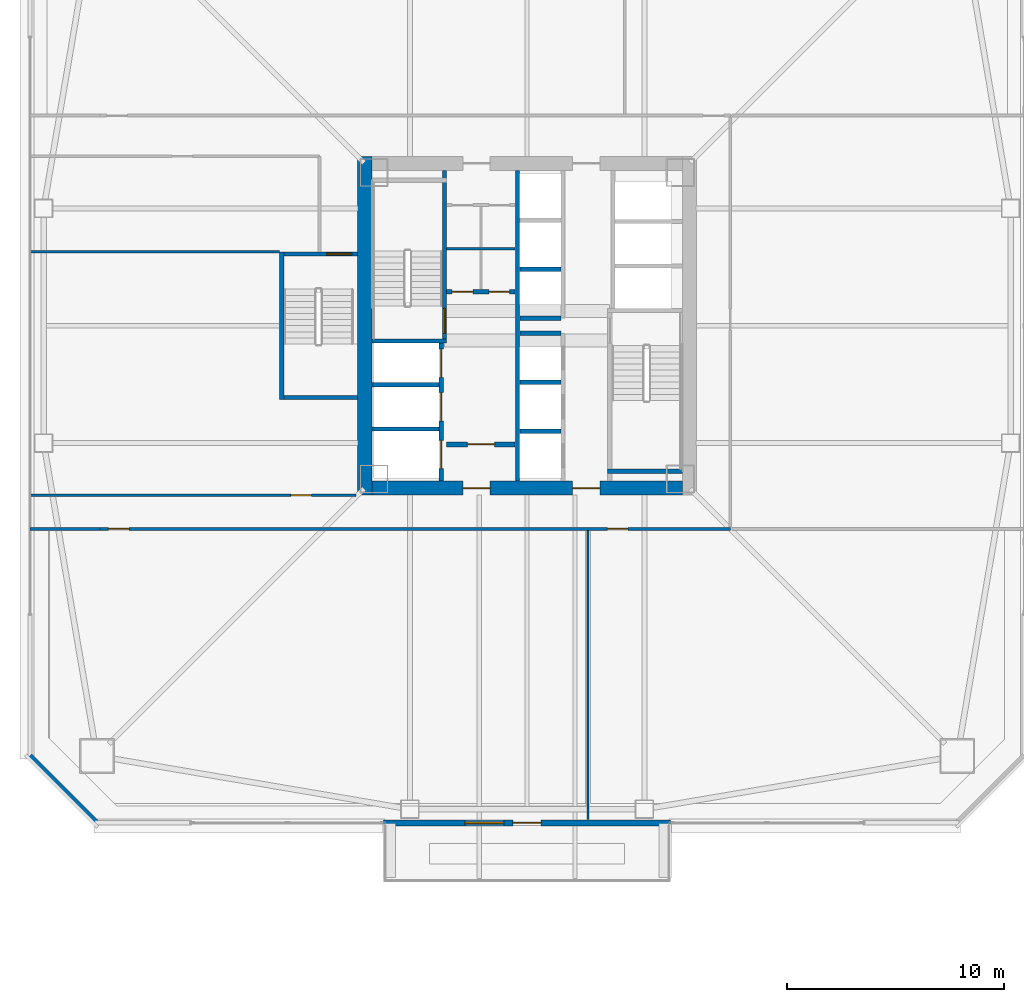
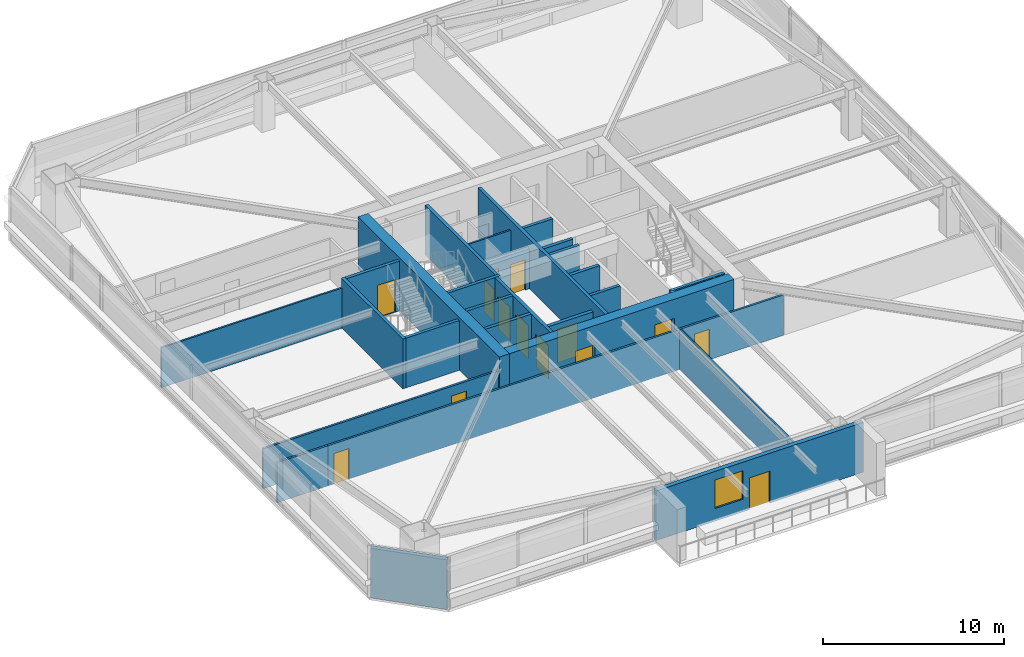
# One storey, part 36 of 46: 27 walls, 14 doors, 1 window, 15 openings.
"""IFC4 building model written with IfcOpenShell, lengths in metres."""

from ifc_helpers import new_model, si_unit, direction, frame, frame_2d, origin, place, context, subcontext, project, spatial, rectangle, extrude, material, layer, layer_set, type_object, element, fill, save


model = new_model("IFC4")

# Units and contexts
model_context = context("Model", 3, precision=1e-05, world=origin(), true_north=direction((0.0, 1.0)))
body_context = subcontext(model_context, "Body", "Model", "MODEL_VIEW")
ifc_project = project(units=[si_unit("LENGTHUNIT", "METRE"), si_unit("AREAUNIT", "SQUARE_METRE"), si_unit("VOLUMEUNIT", "CUBIC_METRE"), si_unit("PLANEANGLEUNIT", "RADIAN"), si_unit("MASSUNIT", "GRAM", prefix="KILO")], contexts=[model_context])

# Site, building, storey
site_placement = place(None, origin())
site = spatial("IfcSite", under=ifc_project, at=site_placement, CompositionType="ELEMENT")
building_placement = place(site_placement, origin())
building = spatial("IfcBuilding", under=site, at=building_placement, Name="Tashvorn Skyway Center", CompositionType="ELEMENT")
storey_placement = place(building_placement, frame((0.0, 0.0, 60.10009765625)))
storey = spatial("IfcBuildingStorey", under=building, at=storey_placement, Name="L15", CompositionType="ELEMENT", Elevation=60.10009765625)

# Wall
ifc_material_1 = material(Name="Concrete C60/75", Category="concrete")
ifc_layer_1 = layer(ifc_material_1, 0.64990234375)
ifc_layer_set_1 = layer_set([ifc_layer_1], Name="Concrete C60/75")
wall_type_1 = type_object("IfcWallType", Name="WALL-CORE-650", PredefinedType="SHEAR", material=ifc_layer_set_1)
wall_1_placement = place(storey_placement, frame((34.52490234375, 24.199951171875, 0.0), z_axis=(0.0, 0.0, 1.0), x_axis=(0.0, 1.0, 0.0)))
element("IfcWall", 1, at=wall_1_placement, inside=storey, type_object=wall_type_1, Name="Tower 1 L15 West Core Shear Wall", PredefinedType="SHEAR", context=body_context, shape_type="SweptSolid", body=[
    extrude(rectangle(XDim=15.60009765625, YDim=0.64990234375, at=frame_2d((7.800048828125, 0.0))), origin(), (0.0, 0.0, 1.0), 3.5498046875),
])

# Wall, openings, doors
wall_2_placement = place(storey_placement, frame((49.14990234375, 24.52490234375, 0.0), z_axis=(0.0, 0.0, 1.0), x_axis=(-1.0, 0.0, 0.0)))
wall_2 = element("IfcWall", 2, at=wall_2_placement, inside=storey, type_object=wall_type_1, Name="Tower 1 L15 South Core Shear Wall", PredefinedType="SHEAR", context=body_context, shape_type="SweptSolid", body=[
    extrude(rectangle(XDim=14.2998046875, YDim=0.64990234375, at=frame_2d((7.14990234375, 0.0))), origin(), (0.0, 0.0, 1.0), 3.5498046875),
])
opening_1_placement = place(wall_2_placement, frame((8.85009765625, 0.0, 0.0)))
opening_1 = element("IfcOpeningElement", 3, at=opening_1_placement, cuts=wall_2, Name="Opening D-FFL-1250", PredefinedType="OPENING", context=body_context, shape_type="SweptSolid", body=[
    extrude(rectangle(XDim=1.25, YDim=2.25, at=frame_2d((0.625, 1.125))), frame((0.0, 0.3349609375, 0.0), z_axis=(0.0, -1.0, 0.0), x_axis=(1.0, 0.0, 0.0)), (0.0, 0.0, 1.0), 0.669921875),
])
opening_2_placement = place(wall_2_placement, frame((3.800048828125, 0.0, 0.0)))
opening_2 = element("IfcOpeningElement", 4, at=opening_2_placement, cuts=wall_2, Name="Opening D-FFL-1250", PredefinedType="OPENING", context=body_context, shape_type="SweptSolid", body=[
    extrude(rectangle(XDim=1.25, YDim=2.25, at=frame_2d((0.625, 1.125))), frame((0.0, 0.3349609375, 0.0), z_axis=(0.0, -1.0, 0.0), x_axis=(1.0, 0.0, 0.0)), (0.0, 0.0, 1.0), 0.669921875),
])
ifc_material_2 = material(Name="Hollow galvanized steel fire door assembly", Category="steel")
door_type_1 = type_object("IfcDoorType", Name="DOOR-FFL-1250", OperationType="NOTDEFINED", PredefinedType="DOOR", material=ifc_material_2)
door_1_placement = place(opening_1_placement, origin())
door_1 = element("IfcDoor", 5, at=door_1_placement, inside=storey, type_object=door_type_1, Name="Tower 1 L15 Core South Firefighting Exit Door", OperationType="SINGLE_SWING_LEFT", OverallHeight=2.25, OverallWidth=1.25, PredefinedType="DOOR", context=body_context, shape_type="SweptSolid", body=[
    extrude(rectangle(XDim=1.25, YDim=2.25, at=frame_2d((0.625, 1.125))), frame((0.0, 0.02490234375, 0.0), z_axis=(0.0, -1.0, 0.0), x_axis=(1.0, 0.0, 0.0)), (0.0, 0.0, 1.0), 0.050048828125),
])
fill(opening_1, door_1)
door_2_placement = place(opening_2_placement, origin())
door_2 = element("IfcDoor", 6, at=door_2_placement, inside=storey, type_object=door_type_1, Name="Tower 1 L15 Core South Lift Lobby Door", OperationType="SINGLE_SWING_RIGHT", OverallHeight=2.25, OverallWidth=1.25, PredefinedType="DOOR", context=body_context, shape_type="SweptSolid", body=[
    extrude(rectangle(XDim=1.25, YDim=2.25, at=frame_2d((0.625, 1.125))), frame((0.0, 0.02490234375, 0.0), z_axis=(0.0, -1.0, 0.0), x_axis=(1.0, 0.0, 0.0)), (0.0, 0.0, 1.0), 0.050048828125),
])
fill(opening_2, door_2)

# Wall, openings, door, window
ifc_material_3 = material(Name="Precast concrete C40/50", Category="concrete")
ifc_layer_2 = layer(ifc_material_3, 0.280029296875)
ifc_layer_set_2 = layer_set([ifc_layer_2], Name="Precast concrete C40/50")
wall_type_2 = type_object("IfcWallType", Name="WALL-EXT-280", PredefinedType="SOLIDWALL", material=ifc_layer_set_2)
wall_3_placement = place(storey_placement, frame((48.60009765625, 9.1201171875, 0.0), z_axis=(0.0, 0.0, 1.0), x_axis=(-1.0, 0.0, 0.0)))
wall_3 = element("IfcWall", 7, at=wall_3_placement, inside=storey, type_object=wall_type_2, Name="Tower 1 L15 South Sky Garden Loggia Wall", PredefinedType="SOLIDWALL", context=body_context, shape_type="SweptSolid", body=[
    extrude(rectangle(XDim=13.2001953125, YDim=0.280029296875, at=frame_2d((6.60009765625, 0.0))), origin(), (0.0, 0.0, 1.0), 3.349853515625),
])
opening_3_placement = place(wall_3_placement, frame((5.949951171875, 0.0, 0.0)))
opening_3 = element("IfcOpeningElement", 8, at=opening_3_placement, cuts=wall_3, Name="Opening D-TER-1300", PredefinedType="OPENING", context=body_context, shape_type="SweptSolid", body=[
    extrude(rectangle(XDim=1.300048828125, YDim=2.14990234375, at=frame_2d((0.64990234375, 1.074951171875))), frame((0.0, 0.14990234375, 0.0), z_axis=(0.0, -1.0, 0.0), x_axis=(1.0, 0.0, 0.0)), (0.0, 0.0, 1.0), 0.300048828125),
])
opening_4_placement = place(wall_3_placement, frame((7.66796875, 0.0, 0.85009765625)))
opening_4 = element("IfcOpeningElement", 9, at=opening_4_placement, cuts=wall_3, Name="Opening WIN-1800", PredefinedType="OPENING", context=body_context, shape_type="SweptSolid", body=[
    extrude(rectangle(XDim=1.800048828125, YDim=1.919921875, at=frame_2d((0.89990234375, 0.9599609375))), frame((0.0, 0.14990234375, 0.0), z_axis=(0.0, -1.0, 0.0), x_axis=(1.0, 0.0, 0.0)), (0.0, 0.0, 1.0), 0.300048828125),
])
ifc_material_4 = material(Name="Thermally broken bronze-anodized aluminium 6063-T6", Category="aluminium")
door_type_2 = type_object("IfcDoorType", Name="DOOR-TERR-1300", OperationType="NOTDEFINED", PredefinedType="DOOR", material=ifc_material_4)
door_3_placement = place(opening_3_placement, origin())
door_3 = element("IfcDoor", 10, at=door_3_placement, inside=storey, type_object=door_type_2, Name="Tower 1 L15 Sky Garden Access Door", OperationType="SINGLE_SWING_LEFT", OverallHeight=2.14990234375, OverallWidth=1.300048828125, PredefinedType="DOOR", context=body_context, shape_type="SweptSolid", body=[
    extrude(rectangle(XDim=1.300048828125, YDim=2.14990234375, at=frame_2d((0.64990234375, 1.074951171875))), frame((0.0, 0.02490234375, 0.0), z_axis=(0.0, -1.0, 0.0), x_axis=(1.0, 0.0, 0.0)), (0.0, 0.0, 1.0), 0.050048828125),
])
fill(opening_3, door_3)
ifc_material_5 = material(Name="Low-E solar-control double insulating safety glass", Category="glass")
window_type = type_object("IfcWindowType", Name="WIN-TERR-1800", PartitioningType="SINGLE_PANEL", PredefinedType="WINDOW", material=ifc_material_5)
window_placement = place(opening_4_placement, origin())
window = element("IfcWindow", 11, at=window_placement, inside=storey, type_object=window_type, Name="Tower 1 L15 Sky Garden Window", OverallHeight=1.919921875, OverallWidth=1.800048828125, PartitioningType="SINGLE_PANEL", PredefinedType="WINDOW", context=body_context, shape_type="SweptSolid", body=[
    extrude(rectangle(XDim=1.800048828125, YDim=1.919921875, at=frame_2d((0.89990234375, 0.9599609375))), frame((0.0, 0.030029296875, 0.0), z_axis=(0.0, -1.0, 0.0), x_axis=(1.0, 0.0, 0.0)), (0.0, 0.0, 1.0), 0.06005859375),
])
fill(opening_4, window)

# Wall
wall_4_placement = place(storey_placement, frame((22.199951171875, 9.10009765625, 0.0), z_axis=(0.0, 0.0, 1.0), x_axis=(-0.707106781187, 0.707106781187, 0.0)))
element("IfcWall", 12, at=wall_4_placement, inside=storey, type_object=wall_type_2, Name="Tower 1 L15 SW Precast Chamfer Wall", PredefinedType="SOLIDWALL", context=body_context, shape_type="SweptSolid", body=[
    extrude(rectangle(XDim=4.3837890625, YDim=0.280029296875, at=frame_2d((2.19189453125, 0.0))), origin(), (0.0, 0.0, 1.0), 3.349853515625),
])

# Wall, openings, doors
ifc_material_6 = material(Name="Concrete C40/50", Category="concrete")
ifc_layer_3 = layer(ifc_material_6, 0.219970703125)
ifc_layer_set_3 = layer_set([ifc_layer_3], Name="Concrete C40/50")
wall_type_3 = type_object("IfcWallType", Name="WALL-FFL-220", PredefinedType="SOLIDWALL", material=ifc_layer_set_3)
wall_5_placement = place(storey_placement, frame((38.300048828125, 33.56005859375, 0.0), z_axis=(0.0, 0.0, 1.0), x_axis=(1.0, 0.0, 0.0)))
wall_5 = element("IfcWall", 13, at=wall_5_placement, inside=storey, type_object=wall_type_3, Name="Tower 1 L15 Firefighting Lobby North Wall", PredefinedType="SOLIDWALL", context=body_context, shape_type="SweptSolid", body=[
    extrude(rectangle(XDim=3.14990234375, YDim=0.219970703125, at=frame_2d((1.574951171875, 0.0))), origin(), (0.0, 0.0, 1.0), 2.702880859375),
])
opening_5_placement = place(wall_5_placement, frame((0.25, 0.0, 0.0)))
opening_5 = element("IfcOpeningElement", 14, at=opening_5_placement, cuts=wall_5, Name="Opening D-RT-950", PredefinedType="OPENING", context=body_context, shape_type="SweptSolid", body=[
    extrude(rectangle(XDim=0.949951171875, YDim=2.050048828125, at=frame_2d((0.47509765625, 1.02490234375))), frame((0.0, 0.119873046875, 0.0), z_axis=(0.0, -1.0, 0.0), x_axis=(1.0, 0.0, 0.0)), (0.0, 0.0, 1.0), 0.239990234375),
])
opening_6_placement = place(wall_5_placement, frame((1.949951171875, 0.0, 0.0)))
opening_6 = element("IfcOpeningElement", 15, at=opening_6_placement, cuts=wall_5, Name="Opening D-RT-950", PredefinedType="OPENING", context=body_context, shape_type="SweptSolid", body=[
    extrude(rectangle(XDim=0.949951171875, YDim=2.050048828125, at=frame_2d((0.47509765625, 1.02490234375))), frame((0.0, 0.119873046875, 0.0), z_axis=(0.0, -1.0, 0.0), x_axis=(1.0, 0.0, 0.0)), (0.0, 0.0, 1.0), 0.239990234375),
])
door_type_3 = type_object("IfcDoorType", Name="DOOR-RATED-950", OperationType="NOTDEFINED", PredefinedType="DOOR", material=ifc_material_2)
door_4_placement = place(opening_5_placement, origin())
door_4 = element("IfcDoor", 16, at=door_4_placement, inside=storey, type_object=door_type_3, Name="Tower 1 L15 Core Mail Room Door", OperationType="SINGLE_SWING_LEFT", OverallHeight=2.050048828125, OverallWidth=0.949951171875, PredefinedType="DOOR", context=body_context, shape_type="SweptSolid", body=[
    extrude(rectangle(XDim=0.949951171875, YDim=2.050048828125, at=frame_2d((0.47509765625, 1.02490234375))), frame((0.0, 0.02490234375, 0.0), z_axis=(0.0, -1.0, 0.0), x_axis=(1.0, 0.0, 0.0)), (0.0, 0.0, 1.0), 0.050048828125),
])
fill(opening_5, door_4)
door_5_placement = place(opening_6_placement, origin())
door_5 = element("IfcDoor", 17, at=door_5_placement, inside=storey, type_object=door_type_3, Name="Tower 1 L15 Core Supply Closet Door", OperationType="SINGLE_SWING_RIGHT", OverallHeight=2.050048828125, OverallWidth=0.949951171875, PredefinedType="DOOR", context=body_context, shape_type="SweptSolid", body=[
    extrude(rectangle(XDim=0.949951171875, YDim=2.050048828125, at=frame_2d((0.47509765625, 1.02490234375))), frame((0.0, 0.02490234375, 0.0), z_axis=(0.0, -1.0, 0.0), x_axis=(1.0, 0.0, 0.0)), (0.0, 0.0, 1.0), 0.050048828125),
])
fill(opening_6, door_5)

# Wall, opening, door
wall_6_placement = place(storey_placement, frame((38.300048828125, 26.5400390625, 0.0), z_axis=(0.0, 0.0, 1.0), x_axis=(1.0, 0.0, 0.0)))
wall_6 = element("IfcWall", 18, at=wall_6_placement, inside=storey, type_object=wall_type_3, Name="Tower 1 L15 Firefighting Lobby South Wall", PredefinedType="SOLIDWALL", context=body_context, shape_type="SweptSolid", body=[
    extrude(rectangle(XDim=3.14990234375, YDim=0.219970703125, at=frame_2d((1.574951171875, 0.0))), origin(), (0.0, 0.0, 1.0), 2.702880859375),
])
opening_7_placement = place(wall_6_placement, frame((0.949951171875, 0.0, 0.0)))
opening_7 = element("IfcOpeningElement", 19, at=opening_7_placement, cuts=wall_6, Name="Opening D-FFL-1250", PredefinedType="OPENING", context=body_context, shape_type="SweptSolid", body=[
    extrude(rectangle(XDim=1.25, YDim=2.25, at=frame_2d((0.625, 1.125))), frame((0.0, 0.119873046875, 0.0), z_axis=(0.0, -1.0, 0.0), x_axis=(1.0, 0.0, 0.0)), (0.0, 0.0, 1.0), 0.239990234375),
])
door_6_placement = place(opening_7_placement, origin())
door_6 = element("IfcDoor", 20, at=door_6_placement, inside=storey, type_object=door_type_1, Name="Tower 1 L15 Firefighting Lobby Egress Door", OperationType="SINGLE_SWING_LEFT", OverallHeight=2.25, OverallWidth=1.25, PredefinedType="DOOR", context=body_context, shape_type="SweptSolid", body=[
    extrude(rectangle(XDim=1.25, YDim=2.25, at=frame_2d((0.625, 1.125))), frame((0.0, 0.02490234375, 0.0), z_axis=(0.0, -1.0, 0.0), x_axis=(1.0, 0.0, 0.0)), (0.0, 0.0, 1.0), 0.050048828125),
])
fill(opening_7, door_6)

# Walls
ifc_material_7 = material(Name="Gypsum board on cold-formed steel stud framing", Category="steel")
ifc_layer_4 = layer(ifc_material_7, 0.110107421875)
ifc_layer_set_4 = layer_set([ifc_layer_4], Name="Gypsum board on cold-formed steel stud framing")
wall_type_4 = type_object("IfcWallType", Name="WALL-PART-110", PredefinedType="PARTITIONING", material=ifc_layer_set_4)
wall_7_placement = place(storey_placement, frame((44.800048828125, 9.27001953125, 0.0), z_axis=(0.0, 0.0, 1.0), x_axis=(0.0, 1.0, 0.0)))
element("IfcWall", 21, at=wall_7_placement, inside=storey, type_object=wall_type_4, Name="Tower 1 L15 South Suite Partition 1", PredefinedType="PARTITIONING", context=body_context, shape_type="SweptSolid", body=[
    extrude(rectangle(XDim=13.300048828125, YDim=0.110107421875, at=frame_2d((6.64990234375, 0.0))), origin(), (0.0, 0.0, 1.0), 2.702880859375),
])
wall_8_placement = place(storey_placement, frame((30.60009765625, 35.39990234375, 0.0), z_axis=(0.0, 0.0, 1.0), x_axis=(-1.0, 0.0, 0.0)))
element("IfcWall", 22, at=wall_8_placement, inside=storey, type_object=wall_type_4, Name="Tower 1 L15 West Suite Partition 1", PredefinedType="PARTITIONING", context=body_context, shape_type="SweptSolid", body=[
    extrude(rectangle(XDim=11.47998046875, YDim=0.110107421875, at=frame_2d((5.739990234375, 0.0))), origin(), (0.0, 0.0, 1.0), 2.702880859375),
])

# Wall, openings, doors
ifc_layer_5 = layer(ifc_material_7, 0.135009765625)
ifc_layer_set_5 = layer_set([ifc_layer_5], Name="Gypsum board on cold-formed steel stud framing")
wall_type_5 = type_object("IfcWallType", Name="WALL-PART-135", PredefinedType="PARTITIONING", material=ifc_layer_set_5)
wall_9_placement = place(storey_placement, frame((51.35009765625, 22.64990234375, 0.0), z_axis=(0.0, 0.0, 1.0), x_axis=(-1.0, 0.0, 0.0)))
wall_9 = element("IfcWall", 23, at=wall_9_placement, inside=storey, type_object=wall_type_5, Name="Tower 1 L15 South Suite Wall", PredefinedType="PARTITIONING", context=body_context, shape_type="SweptSolid", body=[
    extrude(rectangle(XDim=29.0, YDim=0.135009765625, at=frame_2d((14.5, 0.0))), origin(), (0.0, 0.0, 1.0), 2.702880859375),
])
opening_8_placement = place(wall_9_placement, frame((27.669921875, 0.0, 0.0)))
opening_8 = element("IfcOpeningElement", 24, at=opening_8_placement, cuts=wall_9, Name="Opening D-INT-950", PredefinedType="OPENING", context=body_context, shape_type="SweptSolid", body=[
    extrude(rectangle(XDim=0.949951171875, YDim=2.050048828125, at=frame_2d((0.47509765625, 1.02490234375))), frame((0.0, 0.077392578125, 0.0), z_axis=(0.0, -1.0, 0.0), x_axis=(1.0, 0.0, 0.0)), (0.0, 0.0, 1.0), 0.155029296875),
])
opening_9_placement = place(wall_9_placement, frame((4.71044921875, 0.0, 0.0)))
opening_9 = element("IfcOpeningElement", 25, at=opening_9_placement, cuts=wall_9, Name="Opening D-INT-950", PredefinedType="OPENING", context=body_context, shape_type="SweptSolid", body=[
    extrude(rectangle(XDim=0.949951171875, YDim=2.050048828125, at=frame_2d((0.47509765625, 1.02490234375))), frame((0.0, 0.077392578125, 0.0), z_axis=(0.0, -1.0, 0.0), x_axis=(1.0, 0.0, 0.0)), (0.0, 0.0, 1.0), 0.155029296875),
])
ifc_material_8 = material(Name="Solid-core architectural oak veneer door")
door_type_4 = type_object("IfcDoorType", Name="DOOR-INT-950", OperationType="NOTDEFINED", PredefinedType="DOOR", material=ifc_material_8)
door_7_placement = place(opening_8_placement, origin())
door_7 = element("IfcDoor", 26, at=door_7_placement, inside=storey, type_object=door_type_4, Name="Tower 1 L15 Wellness Clinic Door", OperationType="SINGLE_SWING_RIGHT", OverallHeight=2.050048828125, OverallWidth=0.949951171875, PredefinedType="DOOR", context=body_context, shape_type="SweptSolid", body=[
    extrude(rectangle(XDim=0.949951171875, YDim=2.050048828125, at=frame_2d((0.47509765625, 1.02490234375))), frame((0.0, 0.02490234375, 0.0), z_axis=(0.0, -1.0, 0.0), x_axis=(1.0, 0.0, 0.0)), (0.0, 0.0, 1.0), 0.050048828125),
])
fill(opening_8, door_7)
door_8_placement = place(opening_9_placement, origin())
door_8 = element("IfcDoor", 27, at=door_8_placement, inside=storey, type_object=door_type_4, Name="Tower 1 L15 Reading Lounge Door", OperationType="SINGLE_SWING_LEFT", OverallHeight=2.050048828125, OverallWidth=0.949951171875, PredefinedType="DOOR", context=body_context, shape_type="SweptSolid", body=[
    extrude(rectangle(XDim=0.949951171875, YDim=2.050048828125, at=frame_2d((0.47509765625, 1.02490234375))), frame((0.0, 0.02490234375, 0.0), z_axis=(0.0, -1.0, 0.0), x_axis=(1.0, 0.0, 0.0)), (0.0, 0.0, 1.0), 0.050048828125),
])
fill(opening_9, door_8)

# Wall
wall_10_placement = place(storey_placement, frame((19.1201171875, 22.64990234375, 0.0), z_axis=(0.0, 0.0, 1.0), x_axis=(1.0, 0.0, 0.0)))
element("IfcWall", 28, at=wall_10_placement, inside=storey, type_object=wall_type_5, Name="Tower 1 L15 South-West Suite North Wall", PredefinedType="PARTITIONING", context=body_context, shape_type="SweptSolid", body=[
    extrude(rectangle(XDim=3.22998046875, YDim=0.135009765625, at=frame_2d((1.614990234375, 0.0))), origin(), (0.0, 0.0, 1.0), 2.702880859375),
])

# Wall, opening, door
wall_11_placement = place(storey_placement, frame((19.1201171875, 24.199951171875, 0.0), z_axis=(0.0, 0.0, 1.0), x_axis=(1.0, 0.0, 0.0)))
wall_11 = element("IfcWall", 29, at=wall_11_placement, inside=storey, type_object=wall_type_5, Name="Tower 1 L15 West Suite South Wall", PredefinedType="PARTITIONING", context=body_context, shape_type="SweptSolid", body=[
    extrude(rectangle(XDim=15.0, YDim=0.135009765625, at=frame_2d((7.5, 0.0))), origin(), (0.0, 0.0, 1.0), 2.702880859375),
])
opening_10_placement = place(wall_11_placement, frame((12.0048828125, 0.0, 0.0)))
opening_10 = element("IfcOpeningElement", 30, at=opening_10_placement, cuts=wall_11, Name="Opening D-INT-950", PredefinedType="OPENING", context=body_context, shape_type="SweptSolid", body=[
    extrude(rectangle(XDim=0.949951171875, YDim=2.050048828125, at=frame_2d((0.47509765625, 1.02490234375))), frame((0.0, 0.077392578125, 0.0), z_axis=(0.0, -1.0, 0.0), x_axis=(1.0, 0.0, 0.0)), (0.0, 0.0, 1.0), 0.155029296875),
])
door_9_placement = place(opening_10_placement, origin())
door_9 = element("IfcDoor", 31, at=door_9_placement, inside=storey, type_object=door_type_4, Name="Tower 1 L15 Public Restroom Door", OperationType="SINGLE_SWING_RIGHT", OverallHeight=2.050048828125, OverallWidth=0.949951171875, PredefinedType="DOOR", context=body_context, shape_type="SweptSolid", body=[
    extrude(rectangle(XDim=0.949951171875, YDim=2.050048828125, at=frame_2d((0.47509765625, 1.02490234375))), frame((0.0, 0.02490234375, 0.0), z_axis=(0.0, -1.0, 0.0), x_axis=(1.0, 0.0, 0.0)), (0.0, 0.0, 1.0), 0.050048828125),
])
fill(opening_10, door_9)

# Walls
ifc_layer_6 = layer(ifc_material_7, 0.110107421875)
ifc_layer_set_6 = layer_set([ifc_layer_6], Name="Gypsum board on cold-formed steel stud framing")
wall_type_6 = type_object("IfcWallType", Name="WALL-RATED-110", PredefinedType="PARTITIONING", material=ifc_layer_set_6)
wall_12_placement = place(storey_placement, frame((38.300048828125, 35.550048828125, 0.0), z_axis=(0.0, 0.0, 1.0), x_axis=(1.0, 0.0, 0.0)))
element("IfcWall", 32, at=wall_12_placement, inside=storey, type_object=wall_type_6, Name="Tower 1 L15 Core Cross Horizontal", PredefinedType="PARTITIONING", context=body_context, shape_type="SweptSolid", body=[
    extrude(rectangle(XDim=3.14990234375, YDim=0.110107421875, at=frame_2d((1.574951171875, 0.0))), origin(), (0.0, 0.0, 1.0), 2.702880859375),
])
ifc_layer_7 = layer(ifc_material_6, 0.199951171875)
ifc_layer_set_7 = layer_set([ifc_layer_7], Name="Concrete C40/50")
wall_type_7 = type_object("IfcWallType", Name="WALL-SHAFT-200", PredefinedType="SOLIDWALL", material=ifc_layer_set_7)
for number, where, z_axis, x_axis, name in (
    (33, (34.85009765625, 27.25, 0.0), (0.0, 0.0, 1.0), (1.0, 0.0, 0.0), "Tower 1 L15 FSAE Shaft Divider"),
    (34, (34.85009765625, 29.280029296875, 0.0), (0.0, 0.0, 1.0), (1.0, 0.0, 0.0), "Tower 1 L15 FSAE Shaft Divider"),
):
    element("IfcWall", number, at=place(storey_placement, frame(where, z_axis=z_axis, x_axis=x_axis)), inside=storey, type_object=wall_type_7, Name=name, PredefinedType="SOLIDWALL", context=body_context, shape_type="SweptSolid", body=[
        extrude(rectangle(XDim=3.099853515625, YDim=0.199951171875, at=frame_2d((1.5498046875, 0.0))), origin(), (0.0, 0.0, 1.0), 3.349853515625),
    ])
for number, where, z_axis, x_axis, name in (
    (35, (41.669921875, 27.14990234375, 0.0), (0.0, 0.0, 1.0), (1.0, 0.0, 0.0), "Tower 1 L15 Low-Rise Shaft Divider"),
    (36, (41.669921875, 29.39990234375, 0.0), (0.0, 0.0, 1.0), (1.0, 0.0, 0.0), "Tower 1 L15 Low-Rise Shaft Divider"),
    (37, (41.669921875, 31.64990234375, 0.0), (0.0, 0.0, 1.0), (1.0, 0.0, 0.0), "Tower 1 L15 Low-Rise Shaft Divider"),
    (38, (41.669921875, 32.35009765625, 0.0), (0.0, 0.0, 1.0), (1.0, 0.0, 0.0), "Tower 1 L15 Mid-Rise Shaft Divider"),
    (39, (41.669921875, 34.60009765625, 0.0), (0.0, 0.0, 1.0), (1.0, 0.0, 0.0), "Tower 1 L15 Mid-Rise Shaft Divider"),
):
    element("IfcWall", number, at=place(storey_placement, frame(where, z_axis=z_axis, x_axis=x_axis)), inside=storey, type_object=wall_type_7, Name=name, PredefinedType="SOLIDWALL", context=body_context, shape_type="SweptSolid", body=[
        extrude(rectangle(XDim=1.880126953125, YDim=0.199951171875, at=frame_2d((0.93994140625, 0.0))), origin(), (0.0, 0.0, 1.0), 3.349853515625),
    ])

# Wall, opening, door
ifc_layer_8 = layer(ifc_material_6, 0.199951171875)
ifc_layer_set_8 = layer_set([ifc_layer_8], Name="Concrete C40/50")
wall_type_8 = type_object("IfcWallType", Name="WALL-STSHF-200", PredefinedType="SHEAR", material=ifc_layer_set_8)
wall_13_placement = place(storey_placement, frame((38.199951171875, 31.199951171875, 0.0), z_axis=(0.0, 0.0, 1.0), x_axis=(0.0, 1.0, 0.0)))
wall_13 = element("IfcWall", 40, at=wall_13_placement, inside=storey, type_object=wall_type_8, Name="Tower 1 L15 Stair 1 Enclosure Wall", PredefinedType="SHEAR", context=body_context, shape_type="SweptSolid", body=[
    extrude(rectangle(XDim=7.949951171875, YDim=0.199951171875, at=frame_2d((3.97509765625, 0.0))), origin(), (0.0, 0.0, 1.0), 3.349853515625),
])
opening_11_placement = place(wall_13_placement, frame((0.449951171875, 0.0, 0.0)))
opening_11 = element("IfcOpeningElement", 41, at=opening_11_placement, cuts=wall_13, Name="Opening D-ST-1150", PredefinedType="OPENING", context=body_context, shape_type="SweptSolid", body=[
    extrude(rectangle(XDim=1.14990234375, YDim=2.199951171875, at=frame_2d((0.574951171875, 1.10009765625))), frame((0.0, 0.10986328125, 0.0), z_axis=(0.0, -1.0, 0.0), x_axis=(1.0, 0.0, 0.0)), (0.0, 0.0, 1.0), 0.219970703125),
])
door_type_5 = type_object("IfcDoorType", Name="DOOR-STAIR-1150", OperationType="NOTDEFINED", PredefinedType="DOOR", material=ifc_material_2)
door_10_placement = place(opening_11_placement, origin())
door_10 = element("IfcDoor", 42, at=door_10_placement, inside=storey, type_object=door_type_5, Name="Tower 1 L15 Exit Stair 1 Door", OperationType="SINGLE_SWING_RIGHT", OverallHeight=2.199951171875, OverallWidth=1.14990234375, PredefinedType="DOOR", context=body_context, shape_type="SweptSolid", body=[
    extrude(rectangle(XDim=1.14990234375, YDim=2.199951171875, at=frame_2d((0.574951171875, 1.10009765625))), frame((0.0, 0.02490234375, 0.0), z_axis=(0.0, -1.0, 0.0), x_axis=(1.0, 0.0, 0.0)), (0.0, 0.0, 1.0), 0.050048828125),
])
fill(opening_11, door_10)

# Walls
for number, where, z_axis, x_axis, name in (
    (43, (34.85009765625, 31.300048828125, 0.0), (0.0, 0.0, 1.0), (1.0, 0.0, 0.0), "Tower 1 L15 Stair 1 South Wall"),
    (44, (45.699951171875, 25.300048828125, 0.0), (0.0, 0.0, 1.0), (1.0, 0.0, 0.0), "Tower 1 L15 Stair 2 South Wall"),
):
    element("IfcWall", number, at=place(storey_placement, frame(where, z_axis=z_axis, x_axis=x_axis)), inside=storey, type_object=wall_type_8, Name=name, PredefinedType="SHEAR", context=body_context, shape_type="SweptSolid", body=[
        extrude(rectangle(XDim=3.449951171875, YDim=0.199951171875, at=frame_2d((1.72509765625, 0.0))), origin(), (0.0, 0.0, 1.0), 3.349853515625),
    ])
wall_14_placement = place(storey_placement, frame((41.56005859375, 24.85009765625, 0.0), z_axis=(0.0, 0.0, 1.0), x_axis=(0.0, 1.0, 0.0)))
element("IfcWall", 45, at=wall_14_placement, inside=storey, type_object=wall_type_8, Name="Tower 1 L15 Firefighting Lobby East Smoke Barrier", PredefinedType="SHEAR", context=body_context, shape_type="SweptSolid", body=[
    extrude(rectangle(XDim=14.2998046875, YDim=0.199951171875, at=frame_2d((7.14990234375, 0.0))), origin(), (0.0, 0.0, 1.0), 3.349853515625),
])

# Wall, openings, doors
wall_15_placement = place(storey_placement, frame((38.050048828125, 24.85009765625, 0.0), z_axis=(0.0, 0.0, 1.0), x_axis=(0.0, 1.0, 0.0)))
wall_15 = element("IfcWall", 46, at=wall_15_placement, inside=storey, type_object=wall_type_8, Name="Tower 1 L15 FSAE and Goods Shaft Front Wall", PredefinedType="SHEAR", context=body_context, shape_type="SweptSolid", body=[
    extrude(rectangle(XDim=6.349853515625, YDim=0.199951171875, at=frame_2d((3.1748046875, 0.0))), origin(), (0.0, 0.0, 1.0), 3.349853515625),
])
opening_12_placement = place(wall_15_placement, frame((4.77490234375, 0.0, 0.0)))
opening_12 = element("IfcOpeningElement", 47, at=opening_12_placement, cuts=wall_15, Name="Opening LD-FF-T1-1-L15", PredefinedType="OPENING", context=body_context, shape_type="SweptSolid", body=[
    extrude(rectangle(XDim=1.300048828125, YDim=2.25, at=frame_2d((0.64990234375, 1.125))), frame((0.0, 0.10986328125, 0.0), z_axis=(0.0, -1.0, 0.0), x_axis=(1.0, 0.0, 0.0)), (0.0, 0.0, 1.0), 0.219970703125),
])
opening_13_placement = place(wall_15_placement, frame((2.77490234375, 0.0, 0.0)))
opening_13 = element("IfcOpeningElement", 48, at=opening_13_placement, cuts=wall_15, Name="Opening LD-FF-T1-2-L15", PredefinedType="OPENING", context=body_context, shape_type="SweptSolid", body=[
    extrude(rectangle(XDim=1.300048828125, YDim=2.25, at=frame_2d((0.64990234375, 1.125))), frame((0.0, 0.10986328125, 0.0), z_axis=(0.0, -1.0, 0.0), x_axis=(1.0, 0.0, 0.0)), (0.0, 0.0, 1.0), 0.219970703125),
])
opening_14_placement = place(wall_15_placement, frame((0.574951171875, 0.0, 0.0)))
opening_14 = element("IfcOpeningElement", 49, at=opening_14_placement, cuts=wall_15, Name="Opening LD-GD-T1-1-L15", PredefinedType="OPENING", context=body_context, shape_type="SweptSolid", body=[
    extrude(rectangle(XDim=1.300048828125, YDim=2.25, at=frame_2d((0.64990234375, 1.125))), frame((0.0, 0.10986328125, 0.0), z_axis=(0.0, -1.0, 0.0), x_axis=(1.0, 0.0, 0.0)), (0.0, 0.0, 1.0), 0.219970703125),
])
ifc_material_9 = material(Name="Stainless steel heavy-duty landing door", Category="steel")
door_type_6 = type_object("IfcDoorType", Name="DOOR-LIFT-1300", OperationType="SLIDING_TO_LEFT", PredefinedType="DOOR", material=ifc_material_9)
door_11_placement = place(opening_12_placement, origin())
door_11 = element("IfcDoor", 50, at=door_11_placement, inside=storey, type_object=door_type_6, Name="Lift FF-T1-1 L15 Landing Door", OperationType="SLIDING_TO_LEFT", OverallHeight=2.25, OverallWidth=1.300048828125, PredefinedType="DOOR", context=body_context, shape_type="SweptSolid", body=[
    extrude(rectangle(XDim=1.300048828125, YDim=2.25, at=frame_2d((0.64990234375, 1.125))), frame((0.0, 0.02490234375, 0.0), z_axis=(0.0, -1.0, 0.0), x_axis=(1.0, 0.0, 0.0)), (0.0, 0.0, 1.0), 0.050048828125),
])
fill(opening_12, door_11)
door_12_placement = place(opening_13_placement, origin())
door_12 = element("IfcDoor", 51, at=door_12_placement, inside=storey, type_object=door_type_6, Name="Lift FF-T1-2 L15 Landing Door", OperationType="SLIDING_TO_LEFT", OverallHeight=2.25, OverallWidth=1.300048828125, PredefinedType="DOOR", context=body_context, shape_type="SweptSolid", body=[
    extrude(rectangle(XDim=1.300048828125, YDim=2.25, at=frame_2d((0.64990234375, 1.125))), frame((0.0, 0.02490234375, 0.0), z_axis=(0.0, -1.0, 0.0), x_axis=(1.0, 0.0, 0.0)), (0.0, 0.0, 1.0), 0.050048828125),
])
fill(opening_13, door_12)
door_13_placement = place(opening_14_placement, origin())
door_13 = element("IfcDoor", 52, at=door_13_placement, inside=storey, type_object=door_type_6, Name="Lift GD-T1-1 L15 Landing Door", OperationType="SLIDING_TO_LEFT", OverallHeight=2.25, OverallWidth=1.300048828125, PredefinedType="DOOR", context=body_context, shape_type="SweptSolid", body=[
    extrude(rectangle(XDim=1.300048828125, YDim=2.25, at=frame_2d((0.64990234375, 1.125))), frame((0.0, 0.02490234375, 0.0), z_axis=(0.0, -1.0, 0.0), x_axis=(1.0, 0.0, 0.0)), (0.0, 0.0, 1.0), 0.050048828125),
])
fill(opening_14, door_13)

# Wall
wall_16_placement = place(storey_placement, frame((30.699951171875, 28.60009765625, 0.0), z_axis=(0.0, 0.0, 1.0), x_axis=(0.0, 1.0, 0.0)))
element("IfcWall", 53, at=wall_16_placement, inside=storey, type_object=wall_type_8, Name="Tower 1 L15 Stair 3 Outer Wall", PredefinedType="SHEAR", context=body_context, shape_type="SweptSolid", body=[
    extrude(rectangle(XDim=6.7998046875, YDim=0.199951171875, at=frame_2d((3.39990234375, 0.0))), origin(), (0.0, 0.0, 1.0), 3.349853515625),
])

# Wall, opening, door
wall_17_placement = place(storey_placement, frame((34.199951171875, 35.300048828125, 0.0), z_axis=(0.0, 0.0, 1.0), x_axis=(-1.0, 0.0, 0.0)))
wall_17 = element("IfcWall", 54, at=wall_17_placement, inside=storey, type_object=wall_type_8, Name="Tower 1 L15 Stair 3 Enclosure Wall", PredefinedType="SHEAR", context=body_context, shape_type="SweptSolid", body=[
    extrude(rectangle(XDim=3.39990234375, YDim=0.199951171875, at=frame_2d((1.699951171875, 0.0))), origin(), (0.0, 0.0, 1.0), 3.349853515625),
])
opening_15_placement = place(wall_17_placement, frame((0.27490234375, 0.0, 0.0)))
opening_15 = element("IfcOpeningElement", 55, at=opening_15_placement, cuts=wall_17, Name="Opening D-ST-1150", PredefinedType="OPENING", context=body_context, shape_type="SweptSolid", body=[
    extrude(rectangle(XDim=1.14990234375, YDim=2.199951171875, at=frame_2d((0.574951171875, 1.10009765625))), frame((0.0, 0.10986328125, 0.0), z_axis=(0.0, -1.0, 0.0), x_axis=(1.0, 0.0, 0.0)), (0.0, 0.0, 1.0), 0.219970703125),
])
door_14_placement = place(opening_15_placement, origin())
door_14 = element("IfcDoor", 56, at=door_14_placement, inside=storey, type_object=door_type_5, Name="Tower 1 L15 Exit Stair 3 Door", OperationType="SINGLE_SWING_RIGHT", OverallHeight=2.199951171875, OverallWidth=1.14990234375, PredefinedType="DOOR", context=body_context, shape_type="SweptSolid", body=[
    extrude(rectangle(XDim=1.14990234375, YDim=2.199951171875, at=frame_2d((0.574951171875, 1.10009765625))), frame((0.0, 0.02490234375, 0.0), z_axis=(0.0, -1.0, 0.0), x_axis=(1.0, 0.0, 0.0)), (0.0, 0.0, 1.0), 0.050048828125),
])
fill(opening_15, door_14)

# Wall
wall_18_placement = place(storey_placement, frame((30.800048828125, 28.699951171875, 0.0), z_axis=(0.0, 0.0, 1.0), x_axis=(1.0, 0.0, 0.0)))
element("IfcWall", 57, at=wall_18_placement, inside=storey, type_object=wall_type_8, Name="Tower 1 L15 Stair 3 South Wall", PredefinedType="SHEAR", context=body_context, shape_type="SweptSolid", body=[
    extrude(rectangle(XDim=3.39990234375, YDim=0.199951171875, at=frame_2d((1.699951171875, 0.0))), origin(), (0.0, 0.0, 1.0), 3.349853515625),
])

save(model, "model.ifc")
